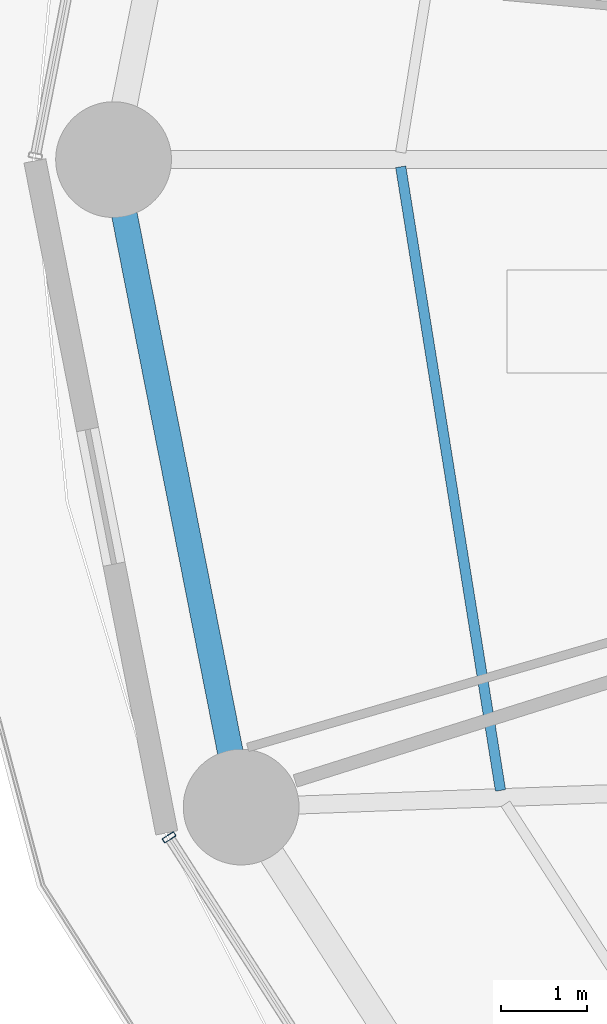
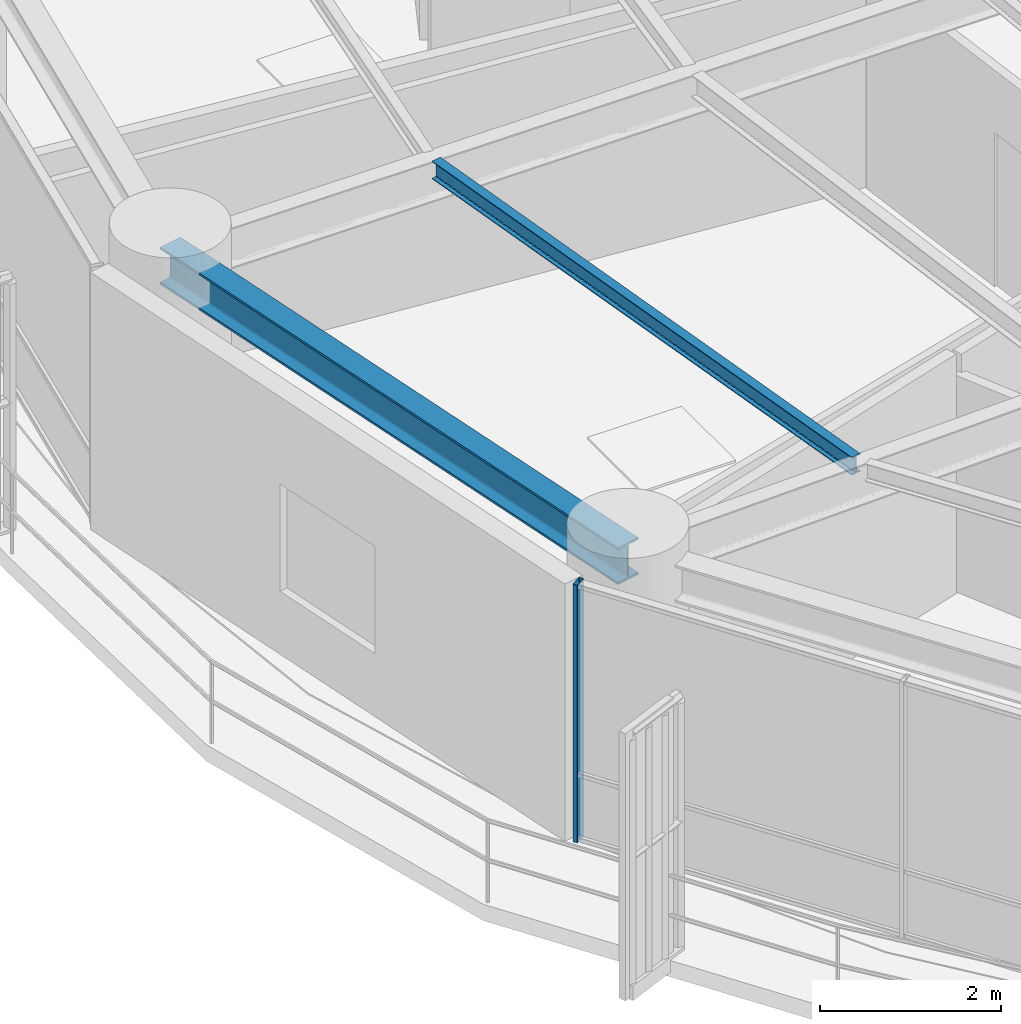
# One storey, part 6 of 37: 2 beams, 1 member, 1 element without a shape of its own.
"""IFC4 building model written with IfcOpenShell, lengths in metres."""

from ifc_helpers import new_model, si_unit, direction, frame, origin, origin_2d, place, context, subcontext, project, spatial, hollow_rectangle, i_section, extrude, material, layer, layer_set, material_profile, profile_set, type_object, element, aggregate, save


model = new_model("IFC4")

# Units and contexts
model_context = context("Model", 3, precision=1e-05, world=origin(), true_north=direction((0.0, 1.0)))
body_context = subcontext(model_context, "Body", "Model", "MODEL_VIEW")
ifc_project = project(units=[si_unit("LENGTHUNIT", "METRE"), si_unit("AREAUNIT", "SQUARE_METRE"), si_unit("VOLUMEUNIT", "CUBIC_METRE"), si_unit("PLANEANGLEUNIT", "RADIAN"), si_unit("MASSUNIT", "GRAM", prefix="KILO")], contexts=[model_context])

# Site, building, storey
site_placement = place(None, origin())
site = spatial("IfcSite", under=ifc_project, at=site_placement, CompositionType="ELEMENT")
building_placement = place(site_placement, origin())
building = spatial("IfcBuilding", under=site, at=building_placement, Name="Kelanora Arch Commons", CompositionType="ELEMENT")
storey_placement = place(building_placement, frame((0.0, 0.0, 113.85009765625)))
storey = spatial("IfcBuildingStorey", under=building, at=storey_placement, Name="L29", CompositionType="ELEMENT", Elevation=113.85009765625)

# Beams
ifc_material_1 = material(Name="Steel S355", Category="steel")
ifc_material_profile_1 = material_profile(ifc_material_1, i_section(OverallWidth=0.1201171875, OverallDepth=0.239990234375, WebThickness=0.006103515625, FlangeThickness=0.009765625, FilletRadius=0.014892578125, at=origin_2d()), Name="IPE240")
ifc_profile_set_1 = profile_set([ifc_material_profile_1], Name="Steel S355")
beam_type_1 = type_object("IfcBeamType", Name="BM-JST-02", PredefinedType="JOIST", material=ifc_profile_set_1)
beam_1_placement = place(storey_placement, frame((52.66943359375, 57.916015625, 3.369873046875), z_axis=(0.157999549894, -0.987439184068, 0.0), x_axis=(0.987439184068, 0.157999549894, 0.0)))
element("IfcBeam", 1, at=beam_1_placement, inside=storey, type_object=beam_type_1, Name="Secondary Chord Joist BJC-18 L29", PredefinedType="JOIST", context=body_context, shape_type="SweptSolid", body=[
    extrude(i_section(OverallWidth=0.1201171875, OverallDepth=0.239990234375, WebThickness=0.006103515625, FlangeThickness=0.009765625, FilletRadius=0.014892578125, at=origin_2d()), origin(), (0.0, 0.0, 1.0), 7.365966796875),
])
ifc_material_profile_2 = material_profile(ifc_material_1, i_section(OverallWidth=0.300048828125, OverallDepth=0.5, WebThickness=0.014404296875, FlangeThickness=0.028076171875, FilletRadius=0.027099609375, at=origin_2d()), Name="HEB500")
ifc_profile_set_2 = profile_set([ifc_material_profile_2], Name="Steel S355")
beam_type_2 = type_object("IfcBeamType", Name="BM-SPN-Z2", PredefinedType="SPANDREL", material=ifc_profile_set_2)
beam_2_placement = place(storey_placement, frame((49.320068359375, 58.0, 3.239990234375), z_axis=(0.19335825777, -0.981128220037, 0.0), x_axis=(0.981128220037, 0.19335825777, 0.0)))
element("IfcBeam", 2, at=beam_2_placement, inside=storey, type_object=beam_type_2, Name="Perimeter Spandrel Beam BS-18 L29", PredefinedType="SPANDREL", context=body_context, shape_type="SweptSolid", body=[
    extrude(i_section(OverallWidth=0.300048828125, OverallDepth=0.5, WebThickness=0.014404296875, FlangeThickness=0.028076171875, FilletRadius=0.027099609375, at=origin_2d()), origin(), (0.0, 0.0, 1.0), 7.697021484375),
])

# Curtain wall, member
ifc_material_2 = material(Name="Terracotta ceramic-fritted low-E glass and aluminium", Category="masonry")
ifc_layer = layer(ifc_material_2, 0.159912109375)
ifc_layer_set = layer_set([ifc_layer], Name="Terracotta ceramic-fritted low-E glass and aluminium")
curtain_wall_type = type_object("IfcCurtainWallType", Name="CW-SYS-01", PredefinedType="NOTDEFINED", material=ifc_layer_set)
curtain_wall_placement = place(storey_placement, origin())
curtain_wall = element("IfcCurtainWall", 3, at=curtain_wall_placement, inside=storey, type_object=curtain_wall_type, Name="Unitised Curtain Wall L29-B10", PredefinedType="NOTDEFINED")
ifc_material_3 = material(Name="Powder-coated aluminium terracotta", Category="masonry")
ifc_material_profile_3 = material_profile(ifc_material_3, hollow_rectangle(XDim=0.159912109375, YDim=0.06005859375, WallThickness=0.0048828125, InnerFilletRadius=0.0048828125, OuterFilletRadius=0.010009765625, at=origin_2d()), Name="CWM160x60")
ifc_profile_set_3 = profile_set([ifc_material_profile_3], Name="Powder-coated aluminium terracotta")
member_type = type_object("IfcMemberType", Name="CWM-STD", PredefinedType="MULLION", material=ifc_profile_set_3)
member_placement = place(storey_placement, frame((49.96826171875, 50.095703125, 0.0), z_axis=(0.0, 0.0, 1.0), x_axis=(0.841268883088, 0.540616931244, 0.0)))
member = element("IfcMember", 4, at=member_placement, type_object=member_type, Name="CW-01 mullion 1", PredefinedType="MULLION", context=body_context, shape_type="SweptSolid", body=[
    extrude(hollow_rectangle(XDim=0.159912109375, YDim=0.06005859375, WallThickness=0.0048828125, InnerFilletRadius=0.0048828125, OuterFilletRadius=0.010009765625, at=origin_2d()), origin(), (0.0, 0.0, 1.0), 3.474853515625),
])
aggregate(curtain_wall, [member])

save(model, "model.ifc")
